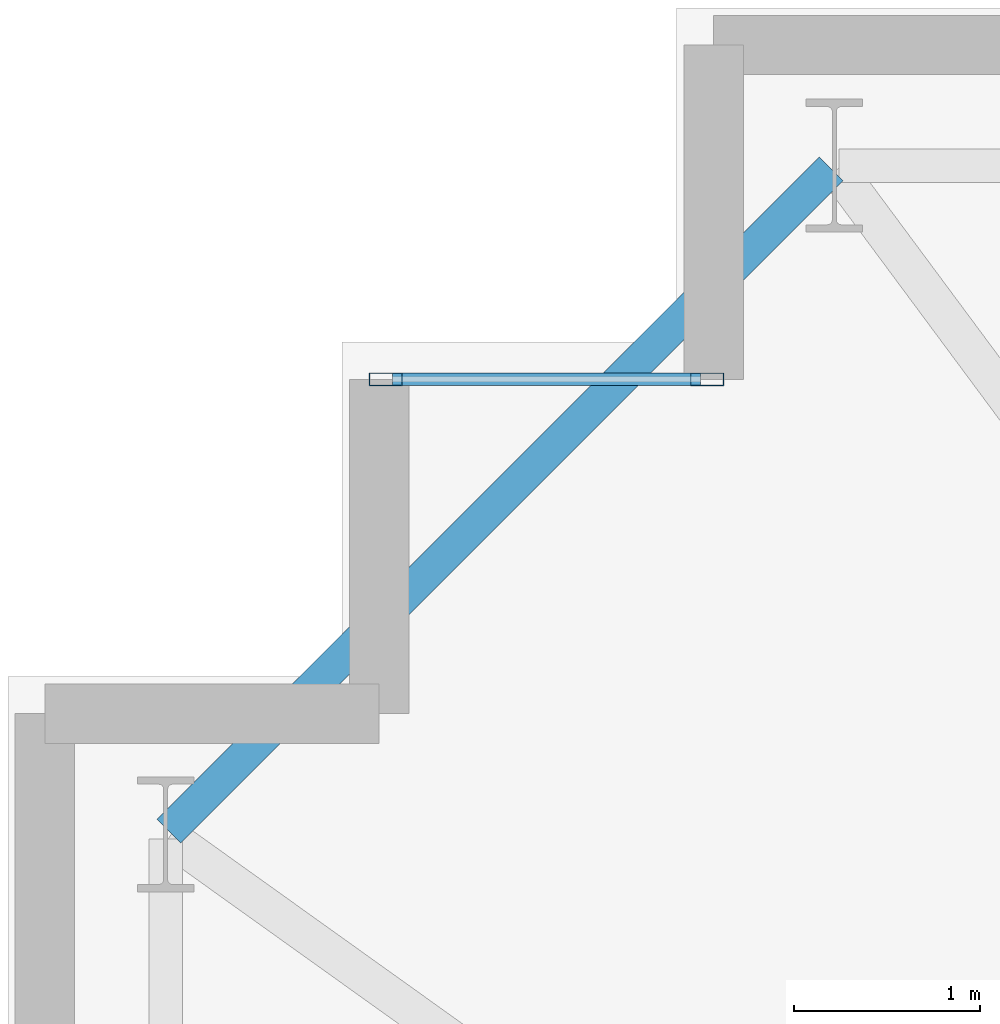
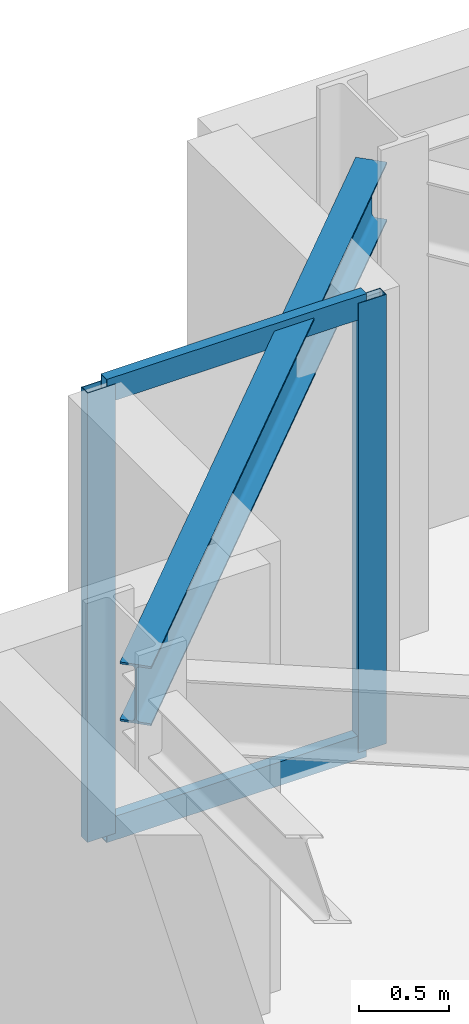
# One storey, part 12 of 24: 4 members, 1 beam, 1 element without a shape of its own.
"""IFC4 building model written with IfcOpenShell, lengths in metres."""

from ifc_helpers import new_model, si_unit, direction, frame, origin, origin_2d, place, context, subcontext, project, spatial, hollow_rectangle, i_section, extrude, material, layer, layer_set, material_profile, profile_set, type_object, element, aggregate, save


model = new_model("IFC4")

# Units and contexts
model_context = context("Model", 3, precision=1e-05, world=origin(), true_north=direction((0.0, 1.0)))
body_context = subcontext(model_context, "Body", "Model", "MODEL_VIEW")
ifc_project = project(units=[si_unit("LENGTHUNIT", "METRE"), si_unit("AREAUNIT", "SQUARE_METRE"), si_unit("VOLUMEUNIT", "CUBIC_METRE"), si_unit("PLANEANGLEUNIT", "RADIAN"), si_unit("MASSUNIT", "GRAM", prefix="KILO")], contexts=[model_context])

# Site, building, storey
site_placement = place(None, origin())
site = spatial("IfcSite", under=ifc_project, at=site_placement, CompositionType="ELEMENT")
building_placement = place(site_placement, origin())
building = spatial("IfcBuilding", under=site, at=building_placement, Name="Qobustan Lattice House", CompositionType="ELEMENT")
storey_placement = place(building_placement, frame((0.0, 0.0, 50.449951171875)))
storey = spatial("IfcBuildingStorey", under=building, at=storey_placement, Name="L13", CompositionType="ELEMENT", Elevation=50.449951171875)

# Beam
ifc_material_1 = material(Name="Steel S355", Category="steel")
ifc_material_profile_1 = material_profile(ifc_material_1, i_section(OverallWidth=0.179931640625, OverallDepth=0.39990234375, WebThickness=0.008544921875, FlangeThickness=0.013427734375, FilletRadius=0.02099609375, at=origin_2d()), Name="IPE400")
ifc_profile_set_1 = profile_set([ifc_material_profile_1], Name="Steel S355")
beam_type = type_object("IfcBeamType", Name="BM-SPD-IPE400", PredefinedType="SPANDREL", material=ifc_profile_set_1)
beam_placement = place(storey_placement, frame((-28.567626953125, 18.732421875, 2.8349609375), z_axis=(-0.707106781187, -0.707106781187, 0.0), x_axis=(0.707106781187, -0.707106781187, 0.0)))
element("IfcBeam", 1, at=beam_placement, inside=storey, type_object=beam_type, Name="L13 perimeter spandrel N7-W1", PredefinedType="SPANDREL", context=body_context, shape_type="SweptSolid", body=[
    extrude(i_section(OverallWidth=0.179931640625, OverallDepth=0.39990234375, WebThickness=0.008544921875, FlangeThickness=0.013427734375, FilletRadius=0.02099609375, at=origin_2d()), origin(), (0.0, 0.0, 1.0), 5.041259765625),
])

# Curtain wall, members
ifc_material_2 = material(Name="Anodised aluminium and low-E glazing", Category="aluminium")
ifc_layer = layer(ifc_material_2, 0.219970703125)
ifc_layer_set = layer_set([ifc_layer], Name="Anodised aluminium and low-E glazing")
curtain_wall_type = type_object("IfcCurtainWallType", Name="CW-FAC-01", PredefinedType="USERDEFINED", material=ifc_layer_set)
curtain_wall_placement = place(storey_placement, origin())
curtain_wall = element("IfcCurtainWall", 2, at=curtain_wall_placement, inside=storey, type_object=curtain_wall_type, Name="L13 serrated corner faceted glazing 8", ObjectType="CURTAIN WALL", PredefinedType="USERDEFINED")
ifc_material_3 = material(Name="Anodised aluminium EN AW-6063 T6", Category="aluminium")
ifc_material_profile_2 = material_profile(ifc_material_3, hollow_rectangle(XDim=0.070068359375, YDim=0.179931640625, WallThickness=0.00439453125, at=origin_2d()), Name="CWM-180x70")
ifc_profile_set_2 = profile_set([ifc_material_profile_2], Name="Anodised aluminium EN AW-6063 T6")
member_type_1 = type_object("IfcMemberType", Name="CWM-STD-180", PredefinedType="MULLION", material=ifc_profile_set_2)
member_1_placement = place(storey_placement, frame((-30.965087890625, 17.60009765625, 0.0), z_axis=(0.0, 0.0, 1.0), x_axis=(0.0, 1.0, 0.0)))
member_1 = element("IfcMember", 3, at=member_1_placement, type_object=member_type_1, Name="CW-F1 mullion 1", PredefinedType="MULLION", context=body_context, shape_type="SweptSolid", body=[
    extrude(hollow_rectangle(XDim=0.070068359375, YDim=0.179931640625, WallThickness=0.00439453125, at=origin_2d()), origin(), (0.0, 0.0, 1.0), 3.03515625),
])
member_2_placement = place(storey_placement, frame((-29.235107421875, 17.60009765625, 0.0), z_axis=(0.0, 0.0, 1.0), x_axis=(0.0, 1.0, 0.0)))
member_2 = element("IfcMember", 4, at=member_2_placement, type_object=member_type_1, Name="CW-F1 mullion 2", PredefinedType="MULLION", context=body_context, shape_type="SweptSolid", body=[
    extrude(hollow_rectangle(XDim=0.070068359375, YDim=0.179931640625, WallThickness=0.00439453125, at=origin_2d()), origin(), (0.0, 0.0, 1.0), 3.03515625),
])
ifc_material_4 = material(Name="Anodised aluminium EN AW-6063 T6", Category="aluminium")
ifc_material_profile_3 = material_profile(ifc_material_4, hollow_rectangle(XDim=0.06494140625, YDim=0.159912109375, WallThickness=0.00390625, at=origin_2d()), Name="CWT-160x65")
ifc_profile_set_3 = profile_set([ifc_material_profile_3], Name="Anodised aluminium EN AW-6063 T6")
member_type_2 = type_object("IfcMemberType", Name="CWT-HOR-160", PredefinedType="USERDEFINED", material=ifc_profile_set_3)
member_3_placement = place(storey_placement, frame((-30.929931640625, 17.60009765625, 0.032470703125), z_axis=(1.0, 0.0, 0.0), x_axis=(0.0, 1.0, 0.0)))
member_3 = element("IfcMember", 5, at=member_3_placement, type_object=member_type_2, Name="CW-F1 transom 1.1", ObjectType="TRANSOM", PredefinedType="USERDEFINED", context=body_context, shape_type="SweptSolid", body=[
    extrude(hollow_rectangle(XDim=0.06494140625, YDim=0.159912109375, WallThickness=0.00390625, at=origin_2d()), origin(), (0.0, 0.0, 1.0), 1.659912109375),
])
member_4_placement = place(storey_placement, frame((-30.929931640625, 17.60009765625, 3.00244140625), z_axis=(1.0, 0.0, 0.0), x_axis=(0.0, 1.0, 0.0)))
member_4 = element("IfcMember", 6, at=member_4_placement, type_object=member_type_2, Name="CW-F1 transom 1.2", ObjectType="TRANSOM", PredefinedType="USERDEFINED", context=body_context, shape_type="SweptSolid", body=[
    extrude(hollow_rectangle(XDim=0.06494140625, YDim=0.159912109375, WallThickness=0.00390625, at=origin_2d()), origin(), (0.0, 0.0, 1.0), 1.659912109375),
])
aggregate(curtain_wall, [member_1, member_2, member_3, member_4])

save(model, "model.ifc")
